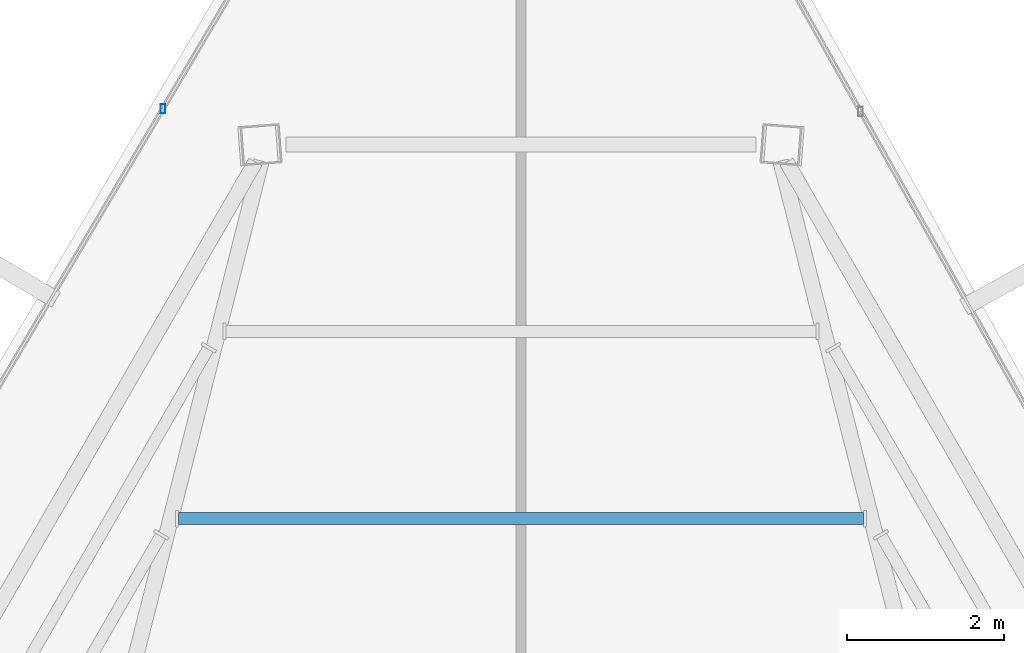
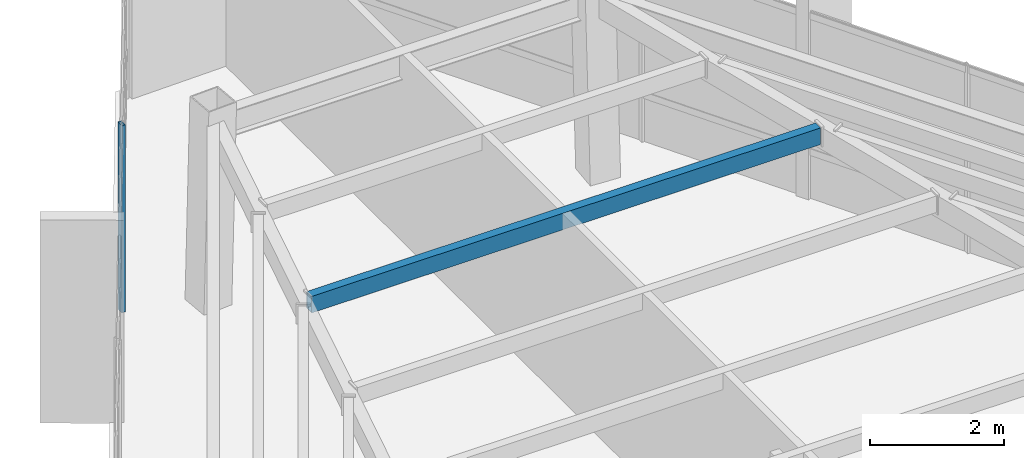
# One storey, part 35 of 48: 1 beam, 1 member, 1 element without a shape of its own.
"""IFC4 building model written with IfcOpenShell, lengths in metres."""

from ifc_helpers import new_model, si_unit, direction, frame, origin, origin_2d, place, context, subcontext, project, spatial, hollow_rectangle, extrude, source, transform, mapped, material, material_profile, profile_set, type_object, type_shapes, element, aggregate, save


model = new_model("IFC4")

# Units and contexts
model_context = context("Model", 3, precision=1e-05, world=origin(), true_north=direction((0.0, 1.0)))
body_context = subcontext(model_context, "Body", "Model", "MODEL_VIEW")
ifc_project = project(units=[si_unit("LENGTHUNIT", "METRE"), si_unit("AREAUNIT", "SQUARE_METRE"), si_unit("VOLUMEUNIT", "CUBIC_METRE"), si_unit("PLANEANGLEUNIT", "RADIAN"), si_unit("MASSUNIT", "GRAM", prefix="KILO")], contexts=[model_context])

# Site, building, storey
site_placement = place(None, origin())
site = spatial("IfcSite", under=ifc_project, at=site_placement, CompositionType="ELEMENT")
building_placement = place(site_placement, origin())
building = spatial("IfcBuilding", under=site, at=building_placement, Name="Caelisora Broadcast Tower", CompositionType="ELEMENT")
storey_placement = place(building_placement, frame((0.0, 0.0, 277.300048828125)))
storey = spatial("IfcBuildingStorey", under=building, at=storey_placement, Name="L73", CompositionType="ELEMENT", Elevation=277.300048828125)

# Beam
ifc_material_1 = material(Name="Steel Grade 350 (AS/NZS 1163 C350L0)", Category="steel")
ifc_material_profile_1 = material_profile(ifc_material_1, hollow_rectangle(XDim=0.14990234375, YDim=0.300048828125, WallThickness=0.010009765625, at=origin_2d()), Name="Steel Grade 350 (AS/NZS 1163 C350L0)")
ifc_profile_set_1 = profile_set([ifc_material_profile_1], Name="Steel Grade 350 (AS/NZS 1163 C350L0)")
beam_type = type_object("IfcBeamType", Name="SB05", PredefinedType="JOIST", material=ifc_profile_set_1)
shared_shape_1 = source(origin(), body_context, "Body", "SweptSolid", [
    extrude(hollow_rectangle(XDim=0.14990234375, YDim=0.300048828125, WallThickness=0.010009765625, at=origin_2d()), origin(), (0.0, 0.0, 1.0), 8.74169921875),
])
type_shapes(beam_type, [shared_shape_1])
beam_placement = place(storey_placement, frame((42.370849609375, 41.94140625, 3.25), z_axis=(-1.0, 0.0, 0.0), x_axis=(0.0, -1.0, 0.0)))
element("IfcBeam", 1, at=beam_placement, inside=storey, type_object=beam_type, Name="L73 beam SB05", PredefinedType="JOIST", context=body_context, shape_type="MappedRepresentation", body=[
    mapped(shared_shape_1, transform((0.0, 0.0, 0.0), scale=1.0)),
])

# Curtain wall, member
ifc_material_2 = material(Name="Unitised Aluminium and Low-E Glass Curtain Wall", Category="glass")
curtain_wall_type = type_object("IfcCurtainWallType", Name="CW-Z5", PredefinedType="NOTDEFINED", material=ifc_material_2)
curtain_wall_placement = place(storey_placement, origin())
curtain_wall = element("IfcCurtainWall", 2, at=curtain_wall_placement, inside=storey, type_object=curtain_wall_type, Name="L73 curtain wall CW-Z5", PredefinedType="NOTDEFINED")
ifc_material_3 = material(Name="Aluminium 6063-T6 Anodised Terracotta Bronze", Category="aluminium")
ifc_material_profile_2 = material_profile(ifc_material_3, hollow_rectangle(XDim=0.06005859375, YDim=0.1201171875, WallThickness=0.0029296875, at=origin_2d()), Name="Aluminium 6063-T6 Anodised Terracotta Bronze")
ifc_profile_set_2 = profile_set([ifc_material_profile_2], Name="Aluminium 6063-T6 Anodised Terracotta Bronze")
member_type = type_object("IfcMemberType", Name="CWM-04", PredefinedType="MULLION", material=ifc_profile_set_2)
shared_shape_2 = source(origin(), body_context, "Body", "SweptSolid", [
    extrude(hollow_rectangle(XDim=0.06005859375, YDim=0.1201171875, WallThickness=0.0029296875, at=origin_2d()), origin(), (0.0, 0.0, 1.0), 3.39990234375),
])
type_shapes(member_type, [shared_shape_2])
member_placement = place(storey_placement, frame((33.429443359375, 47.171630859375, 0.0), z_axis=(0.0, 0.0, 1.0), x_axis=(1.0, 0.0, 0.0)))
member = element("IfcMember", 3, at=member_placement, type_object=member_type, Name="L73-CW-B11 mullion #2", PredefinedType="MULLION", context=body_context, shape_type="MappedRepresentation", body=[
    mapped(shared_shape_2, transform((0.0, 0.0, 0.0), scale=1.0)),
])
aggregate(curtain_wall, [member])

save(model, "model.ifc")
